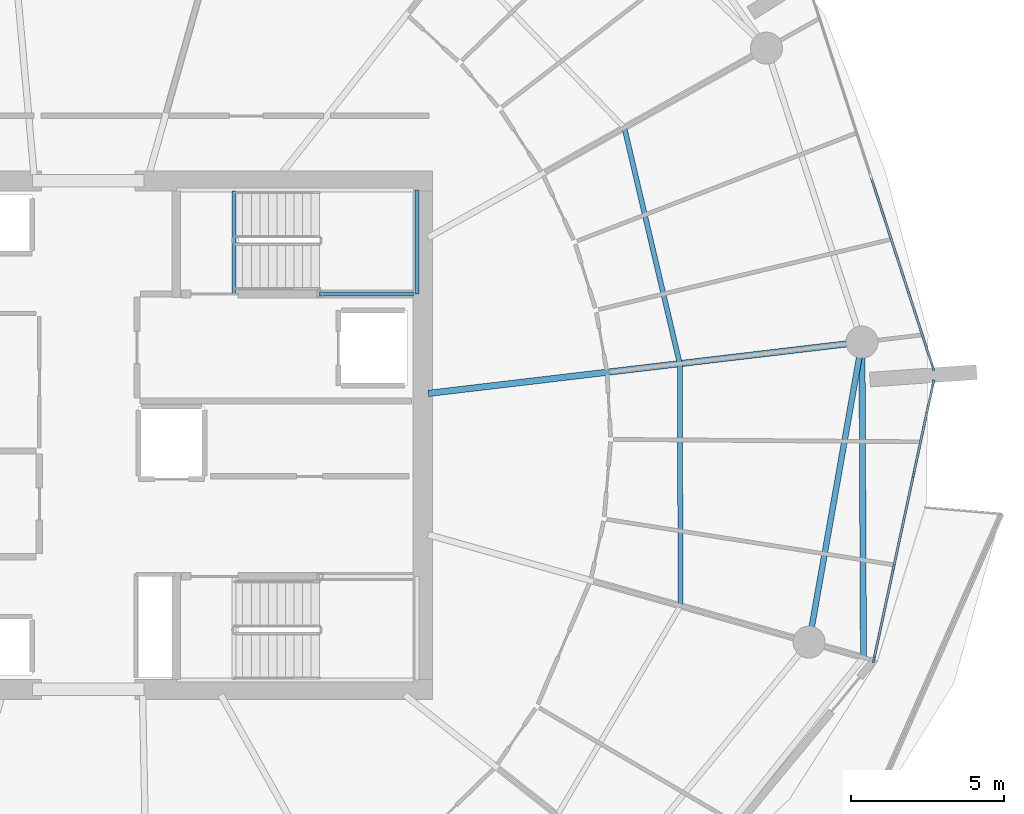
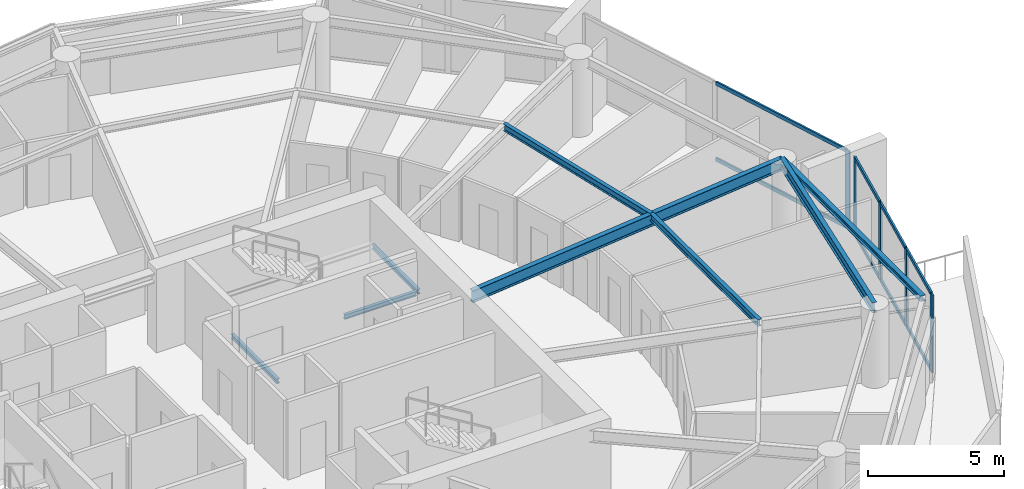
# One storey, part 7 of 21: 13 members, 8 beams, 2 elements without a shape of their own.
"""IFC4 building model written with IfcOpenShell, lengths in metres."""

from ifc_helpers import new_model, si_unit, direction, frame, origin, origin_2d, place, context, subcontext, project, spatial, rectangle, i_section, extrude, material, layer, layer_set, material_profile, profile_set, type_object, element, aggregate, save


model = new_model("IFC4")

# Units and contexts
model_context = context("Model", 3, precision=1e-05, world=origin(), true_north=direction((0.0, 1.0)))
body_context = subcontext(model_context, "Body", "Model", "MODEL_VIEW")
ifc_project = project(units=[si_unit("LENGTHUNIT", "METRE"), si_unit("AREAUNIT", "SQUARE_METRE"), si_unit("VOLUMEUNIT", "CUBIC_METRE"), si_unit("PLANEANGLEUNIT", "RADIAN"), si_unit("MASSUNIT", "GRAM", prefix="KILO")], contexts=[model_context])

# Site, building, storey
site_placement = place(None, origin())
site = spatial("IfcSite", under=ifc_project, at=site_placement, CompositionType="ELEMENT")
building_placement = place(site_placement, origin())
building = spatial("IfcBuilding", under=site, at=building_placement, Name="Kazma Halo Residences", CompositionType="ELEMENT")
storey_placement = place(building_placement, frame((0.0, 0.0, 184.050048828125)))
storey = spatial("IfcBuildingStorey", under=building, at=storey_placement, Name="L46", CompositionType="ELEMENT", Elevation=184.050048828125)

# Beams
ifc_material_1 = material(Name="Steel S355", Category="steel")
ifc_material_profile_1 = material_profile(ifc_material_1, i_section(OverallWidth=0.201904296875, OverallDepth=0.2470703125, WebThickness=0.00732421875, FlangeThickness=0.010986328125, FilletRadius=0.011962890625, at=origin_2d()), Name="W250x49.1")
ifc_profile_set_1 = profile_set([ifc_material_profile_1], Name="Steel S355")
beam_type_1 = type_object("IfcBeamType", Name="BM-BAL-CANT", PredefinedType="BEAM", material=ifc_profile_set_1)
beam_1_placement = place(storey_placement, frame((73.80029296875, 34.723388671875, 3.37646484375), z_axis=(-0.004705663334, 0.999988928305, 0.0), x_axis=(-0.999988928305, -0.004705663334, 0.0)))
element("IfcBeam", 1, at=beam_1_placement, inside=storey, type_object=beam_type_1, Name="L46 wave-balcony tie beam 15", PredefinedType="BEAM", context=body_context, shape_type="SweptSolid", body=[
    extrude(i_section(OverallWidth=0.201904296875, OverallDepth=0.2470703125, WebThickness=0.00732421875, FlangeThickness=0.010986328125, FilletRadius=0.011962890625, at=origin_2d()), origin(), (0.0, 0.0, 1.0), 10.324462890625),
])
ifc_material_profile_2 = material_profile(ifc_material_1, i_section(OverallWidth=0.208984375, OverallDepth=0.532958984375, WebThickness=0.01025390625, FlangeThickness=0.015625, FilletRadius=0.01611328125, at=origin_2d()), Name="W530x92")
ifc_profile_set_2 = profile_set([ifc_material_profile_2], Name="Steel S355")
beam_type_2 = type_object("IfcBeamType", Name="BM-RAD-W530", PredefinedType="BEAM", material=ifc_profile_set_2)
beam_2_placement = place(storey_placement, frame((59.550048828125, 43.366943359375, 3.2333984375), z_axis=(0.993068204292, 0.117539532174, 0.0), x_axis=(-0.117539532174, 0.993068204292, 0.0)))
element("IfcBeam", 2, at=beam_2_placement, inside=storey, type_object=beam_type_2, Name="L46 radial floor beam 16", PredefinedType="BEAM", context=body_context, shape_type="SweptSolid", body=[
    extrude(i_section(OverallWidth=0.208984375, OverallDepth=0.532958984375, WebThickness=0.01025390625, FlangeThickness=0.015625, FilletRadius=0.01611328125, at=origin_2d()), origin(), (0.0, 0.0, 1.0), 14.30078125),
])
ifc_material_profile_3 = material_profile(ifc_material_1, i_section(OverallWidth=0.1650390625, OverallDepth=0.31005859375, WebThickness=0.005859375, FlangeThickness=0.009765625, FilletRadius=0.011962890625, at=origin_2d()), Name="W310x38.7")
ifc_profile_set_3 = profile_set([ifc_material_profile_3], Name="Steel S355")
beam_type_3 = type_object("IfcBeamType", Name="BM-SEC-W310B", PredefinedType="JOIST", material=ifc_profile_set_3)
beam_3_placement = place(storey_placement, frame((67.815185546875, 36.41162109375, 3.344970703125), z_axis=(-0.003540400199, 0.999993732764, 0.0), x_axis=(-0.999993732764, -0.003540400199, 0.0)))
element("IfcBeam", 3, at=beam_3_placement, inside=storey, type_object=beam_type_3, Name="L46 circumferential floor joist 15", PredefinedType="JOIST", context=body_context, shape_type="SweptSolid", body=[
    extrude(i_section(OverallWidth=0.1650390625, OverallDepth=0.31005859375, WebThickness=0.005859375, FlangeThickness=0.009765625, FilletRadius=0.011962890625, at=origin_2d()), origin(), (0.0, 0.0, 1.0), 7.93017578125),
])
beam_4_placement = place(storey_placement, frame((67.787109375, 44.341796875, 3.344970703125), z_axis=(-0.228572787048, 0.973526826041, 0.0), x_axis=(-0.973526826041, -0.228572787048, 0.0)))
element("IfcBeam", 4, at=beam_4_placement, inside=storey, type_object=beam_type_3, Name="L46 circumferential floor joist 16", PredefinedType="JOIST", context=body_context, shape_type="SweptSolid", body=[
    extrude(i_section(OverallWidth=0.1650390625, OverallDepth=0.31005859375, WebThickness=0.005859375, FlangeThickness=0.009765625, FilletRadius=0.011962890625, at=origin_2d()), origin(), (0.0, 0.0, 1.0), 7.933837890625),
])
ifc_material_profile_4 = material_profile(ifc_material_1, i_section(OverallWidth=0.18994140625, OverallDepth=0.45703125, WebThickness=0.009033203125, FlangeThickness=0.014404296875, FilletRadius=0.01611328125, at=origin_2d()), Name="W460x74")
ifc_profile_set_4 = profile_set([ifc_material_profile_4], Name="Steel S355")
beam_type_4 = type_object("IfcBeamType", Name="BM-SPN-W460", PredefinedType="BEAM", material=ifc_profile_set_4)
beam_5_placement = place(storey_placement, frame((72.019775390625, 35.2255859375, 3.271484375), z_axis=(0.173648484202, 0.984807698962, 0.0), x_axis=(-0.984807698962, 0.173648484202, 0.0)))
element("IfcBeam", 5, at=beam_5_placement, inside=storey, type_object=beam_type_4, Name="L46 perimeter ring beam 15", PredefinedType="BEAM", context=body_context, shape_type="SweptSolid", body=[
    extrude(i_section(OverallWidth=0.18994140625, OverallDepth=0.45703125, WebThickness=0.009033203125, FlangeThickness=0.014404296875, FilletRadius=0.01611328125, at=origin_2d()), origin(), (0.0, 0.0, 1.0), 9.973876953125),
])
ifc_material_profile_5 = material_profile(ifc_material_1, i_section(OverallWidth=0.133056640625, OverallDepth=0.20703125, WebThickness=0.005859375, FlangeThickness=0.00830078125, FilletRadius=0.010009765625, at=origin_2d()), Name="W200x26.6")
ifc_profile_set_5 = profile_set([ifc_material_profile_5], Name="Steel S355")
beam_type_5 = type_object("IfcBeamType", Name="BM-TRIM-W200", PredefinedType="BEAM", material=ifc_profile_set_5)
beam_6_placement = place(storey_placement, frame((53.199951171875, 46.6201171875, -0.360107421875), z_axis=(0.0, 1.0, 0.0), x_axis=(-1.0, 0.0, 0.0)))
element("IfcBeam", 6, at=beam_6_placement, inside=storey, type_object=beam_type_5, Name="L46 ST-02 floor landing support beam", PredefinedType="BEAM", context=body_context, shape_type="SweptSolid", body=[
    extrude(i_section(OverallWidth=0.133056640625, OverallDepth=0.20703125, WebThickness=0.005859375, FlangeThickness=0.00830078125, FilletRadius=0.010009765625, at=origin_2d()), origin(), (0.0, 0.0, 1.0), 3.3798828125),
])
beam_7_placement = place(storey_placement, frame((56.0, 46.6201171875, 1.570068359375), z_axis=(1.0, 0.0, 0.0), x_axis=(0.0, 1.0, 0.0)))
element("IfcBeam", 7, at=beam_7_placement, inside=storey, type_object=beam_type_5, Name="L46 ST-02 landing south wall ledger", PredefinedType="BEAM", context=body_context, shape_type="SweptSolid", body=[
    extrude(i_section(OverallWidth=0.133056640625, OverallDepth=0.20703125, WebThickness=0.005859375, FlangeThickness=0.00830078125, FilletRadius=0.010009765625, at=origin_2d()), origin(), (0.0, 0.0, 1.0), 3.070068359375),
])
beam_8_placement = place(storey_placement, frame((59.18994140625, 46.6201171875, 1.570068359375), z_axis=(0.0, 1.0, 0.0), x_axis=(-1.0, 0.0, 0.0)))
element("IfcBeam", 8, at=beam_8_placement, inside=storey, type_object=beam_type_5, Name="L46 ST-02 landing end wall ledger", PredefinedType="BEAM", context=body_context, shape_type="SweptSolid", body=[
    extrude(i_section(OverallWidth=0.133056640625, OverallDepth=0.20703125, WebThickness=0.005859375, FlangeThickness=0.00830078125, FilletRadius=0.010009765625, at=origin_2d()), origin(), (0.0, 0.0, 1.0), 3.39990234375),
])

# Curtain wall, members
ifc_material_2 = material(Name="Aluminium AW-6063 T6 and Triple-Silver Low-E Glass", Category="aluminium")
ifc_layer = layer(ifc_material_2, 0.219970703125)
ifc_layer_set = layer_set([ifc_layer], Name="Aluminium AW-6063 T6 and Triple-Silver Low-E Glass")
curtain_wall_type = type_object("IfcCurtainWallType", Name="CW-SYS-4", PredefinedType="NOTDEFINED", material=ifc_layer_set)
curtain_wall_1_placement = place(storey_placement, origin())
curtain_wall_1 = element("IfcCurtainWall", 9, at=curtain_wall_1_placement, inside=storey, type_object=curtain_wall_type, Name="L46 unitised curtain wall B15", PredefinedType="NOTDEFINED")
ifc_material_3 = material(Name="Aluminium AW-6063 T6", Category="aluminium")
ifc_material_profile_6 = material_profile(ifc_material_3, rectangle(XDim=0.074951171875, YDim=0.219970703125, at=origin_2d()), Name="CWM-75x220")
ifc_profile_set_6 = profile_set([ifc_material_profile_6], Name="Aluminium AW-6063 T6")
member_type_1 = type_object("IfcMemberType", Name="CW-SYS-4-MUL", PredefinedType="MULLION", material=ifc_profile_set_6)
member_1_placement = place(storey_placement, frame((74.1435546875, 34.665771484375, 0.0), z_axis=(0.0, 0.0, 1.0), x_axis=(-0.977768017212, 0.209689543175, 0.0)))
member_1 = element("IfcMember", 10, at=member_1_placement, type_object=member_type_1, Name="CWS-4 mullion 1", PredefinedType="MULLION", context=body_context, shape_type="SweptSolid", body=[
    extrude(rectangle(XDim=0.074951171875, YDim=0.219970703125, at=origin_2d()), origin(), (0.0, 0.0, 1.0), 3.5),
])
member_2_placement = place(storey_placement, frame((74.787109375, 37.6669921875, 0.0), z_axis=(0.0, 0.0, 1.0), x_axis=(-0.977768017212, 0.209689543175, 0.0)))
member_2 = element("IfcMember", 11, at=member_2_placement, type_object=member_type_1, Name="CWS-4 mullion 2", PredefinedType="MULLION", context=body_context, shape_type="SweptSolid", body=[
    extrude(rectangle(XDim=0.074951171875, YDim=0.219970703125, at=origin_2d()), origin(), (0.0, 0.0, 1.0), 3.5),
])
member_3_placement = place(storey_placement, frame((75.438720703125, 40.704833984375, 0.0), z_axis=(0.0, 0.0, 1.0), x_axis=(-0.977768017212, 0.209689543175, 0.0)))
member_3 = element("IfcMember", 12, at=member_3_placement, type_object=member_type_1, Name="CWS-4 mullion 3", PredefinedType="MULLION", context=body_context, shape_type="SweptSolid", body=[
    extrude(rectangle(XDim=0.074951171875, YDim=0.219970703125, at=origin_2d()), origin(), (0.0, 0.0, 1.0), 3.5),
])
member_4_placement = place(storey_placement, frame((76.082275390625, 43.7060546875, 0.0), z_axis=(0.0, 0.0, 1.0), x_axis=(-0.977768017212, 0.209689543175, 0.0)))
member_4 = element("IfcMember", 13, at=member_4_placement, type_object=member_type_1, Name="CWS-4 mullion 4", PredefinedType="MULLION", context=body_context, shape_type="SweptSolid", body=[
    extrude(rectangle(XDim=0.074951171875, YDim=0.219970703125, at=origin_2d()), origin(), (0.0, 0.0, 1.0), 3.5),
])

# Curtain wall, member
curtain_wall_2_placement = place(storey_placement, origin())
curtain_wall_2 = element("IfcCurtainWall", 14, at=curtain_wall_2_placement, inside=storey, type_object=curtain_wall_type, Name="L46 unitised curtain wall B16", PredefinedType="NOTDEFINED")
member_5_placement = place(storey_placement, frame((76.0712890625, 44.22119140625, 0.0), z_axis=(0.0, 0.0, 1.0), x_axis=(-0.951056893636, -0.309015833038, 0.0)))
member_5 = element("IfcMember", 15, at=member_5_placement, type_object=member_type_1, Name="CWS-4 mullion 1", PredefinedType="MULLION", context=body_context, shape_type="SweptSolid", body=[
    extrude(rectangle(XDim=0.074951171875, YDim=0.219970703125, at=origin_2d()), origin(), (0.0, 0.0, 1.0), 3.5),
])

# Member
ifc_material_profile_7 = material_profile(ifc_material_3, rectangle(XDim=0.074951171875, YDim=0.1650390625, at=origin_2d()), Name="CWT-75x165")
ifc_profile_set_7 = profile_set([ifc_material_profile_7], Name="Aluminium AW-6063 T6")
member_type_2 = type_object("IfcMemberType", Name="CW-SYS-4-TRN", PredefinedType="USERDEFINED", material=ifc_profile_set_7)
member_6_placement = place(storey_placement, frame((74.1513671875, 34.702392578125, 0.037353515625), z_axis=(0.209707268418, 0.977764215735, 0.0), x_axis=(-0.977764215735, 0.209707268418, 0.0)))
member_6 = element("IfcMember", 16, at=member_6_placement, type_object=member_type_2, Name="CWS-4 transom 1.1", ObjectType="TRANSOM", PredefinedType="USERDEFINED", context=body_context, shape_type="SweptSolid", body=[
    extrude(rectangle(XDim=0.074951171875, YDim=0.1650390625, at=origin_2d()), origin(), (0.0, 0.0, 1.0), 2.994384765625),
])

member_7_placement = place(storey_placement, frame((74.1513671875, 34.702392578125, 3.46240234375), z_axis=(0.209707268418, 0.977764215735, 0.0), x_axis=(-0.977764215735, 0.209707268418, 0.0)))
member_7 = element("IfcMember", 17, at=member_7_placement, type_object=member_type_2, Name="CWS-4 transom 1.2", ObjectType="TRANSOM", PredefinedType="USERDEFINED", context=body_context, shape_type="SweptSolid", body=[
    extrude(rectangle(XDim=0.074951171875, YDim=0.1650390625, at=origin_2d()), origin(), (0.0, 0.0, 1.0), 2.994384765625),
])

member_8_placement = place(storey_placement, frame((74.794921875, 37.70361328125, 0.037353515625), z_axis=(0.209677559804, 0.977770587057, 0.0), x_axis=(-0.977770587057, 0.209677559804, 0.0)))
member_8 = element("IfcMember", 18, at=member_8_placement, type_object=member_type_2, Name="CWS-4 transom 2.1", ObjectType="TRANSOM", PredefinedType="USERDEFINED", context=body_context, shape_type="SweptSolid", body=[
    extrude(rectangle(XDim=0.074951171875, YDim=0.1650390625, at=origin_2d()), origin(), (0.0, 0.0, 1.0), 3.031982421875),
])

member_9_placement = place(storey_placement, frame((74.794921875, 37.70361328125, 3.46240234375), z_axis=(0.209677559804, 0.977770587057, 0.0), x_axis=(-0.977770587057, 0.209677559804, 0.0)))
member_9 = element("IfcMember", 19, at=member_9_placement, type_object=member_type_2, Name="CWS-4 transom 2.2", ObjectType="TRANSOM", PredefinedType="USERDEFINED", context=body_context, shape_type="SweptSolid", body=[
    extrude(rectangle(XDim=0.074951171875, YDim=0.1650390625, at=origin_2d()), origin(), (0.0, 0.0, 1.0), 3.031982421875),
])

member_10_placement = place(storey_placement, frame((75.446533203125, 40.741455078125, 0.037353515625), z_axis=(0.209690551496, 0.97776780097, 0.0), x_axis=(-0.97776780097, 0.209690551496, 0.0)))
member_10 = element("IfcMember", 20, at=member_10_placement, type_object=member_type_2, Name="CWS-4 transom 3.1", ObjectType="TRANSOM", PredefinedType="USERDEFINED", context=body_context, shape_type="SweptSolid", body=[
    extrude(rectangle(XDim=0.074951171875, YDim=0.1650390625, at=origin_2d()), origin(), (0.0, 0.0, 1.0), 2.99462890625),
])

member_11_placement = place(storey_placement, frame((75.446533203125, 40.741455078125, 3.46240234375), z_axis=(0.209690551496, 0.97776780097, 0.0), x_axis=(-0.97776780097, 0.209690551496, 0.0)))
member_11 = element("IfcMember", 21, at=member_11_placement, type_object=member_type_2, Name="CWS-4 transom 3.2", ObjectType="TRANSOM", PredefinedType="USERDEFINED", context=body_context, shape_type="SweptSolid", body=[
    extrude(rectangle(XDim=0.074951171875, YDim=0.1650390625, at=origin_2d()), origin(), (0.0, 0.0, 1.0), 2.99462890625),
])

aggregate(curtain_wall_1, [member_1, member_2, member_3, member_4, member_6, member_7, member_8, member_9, member_10, member_11])

member_12_placement = place(storey_placement, frame((76.0595703125, 44.2568359375, 0.037353515625), z_axis=(-0.30902650142, 0.951053427217, 0.0), x_axis=(-0.951053427217, -0.30902650142, 0.0)))
member_12 = element("IfcMember", 22, at=member_12_placement, type_object=member_type_2, Name="CWS-4 transom 1.1", ObjectType="TRANSOM", PredefinedType="USERDEFINED", context=body_context, shape_type="SweptSolid", body=[
    extrude(rectangle(XDim=0.074951171875, YDim=0.1650390625, at=origin_2d()), origin(), (0.0, 0.0, 1.0), 6.487060546875),
])

member_13_placement = place(storey_placement, frame((76.0595703125, 44.2568359375, 3.46240234375), z_axis=(-0.30902650142, 0.951053427217, 0.0), x_axis=(-0.951053427217, -0.30902650142, 0.0)))
member_13 = element("IfcMember", 23, at=member_13_placement, type_object=member_type_2, Name="CWS-4 transom 1.2", ObjectType="TRANSOM", PredefinedType="USERDEFINED", context=body_context, shape_type="SweptSolid", body=[
    extrude(rectangle(XDim=0.074951171875, YDim=0.1650390625, at=origin_2d()), origin(), (0.0, 0.0, 1.0), 6.487060546875),
])

aggregate(curtain_wall_2, [member_5, member_12, member_13])

save(model, "model.ifc")
